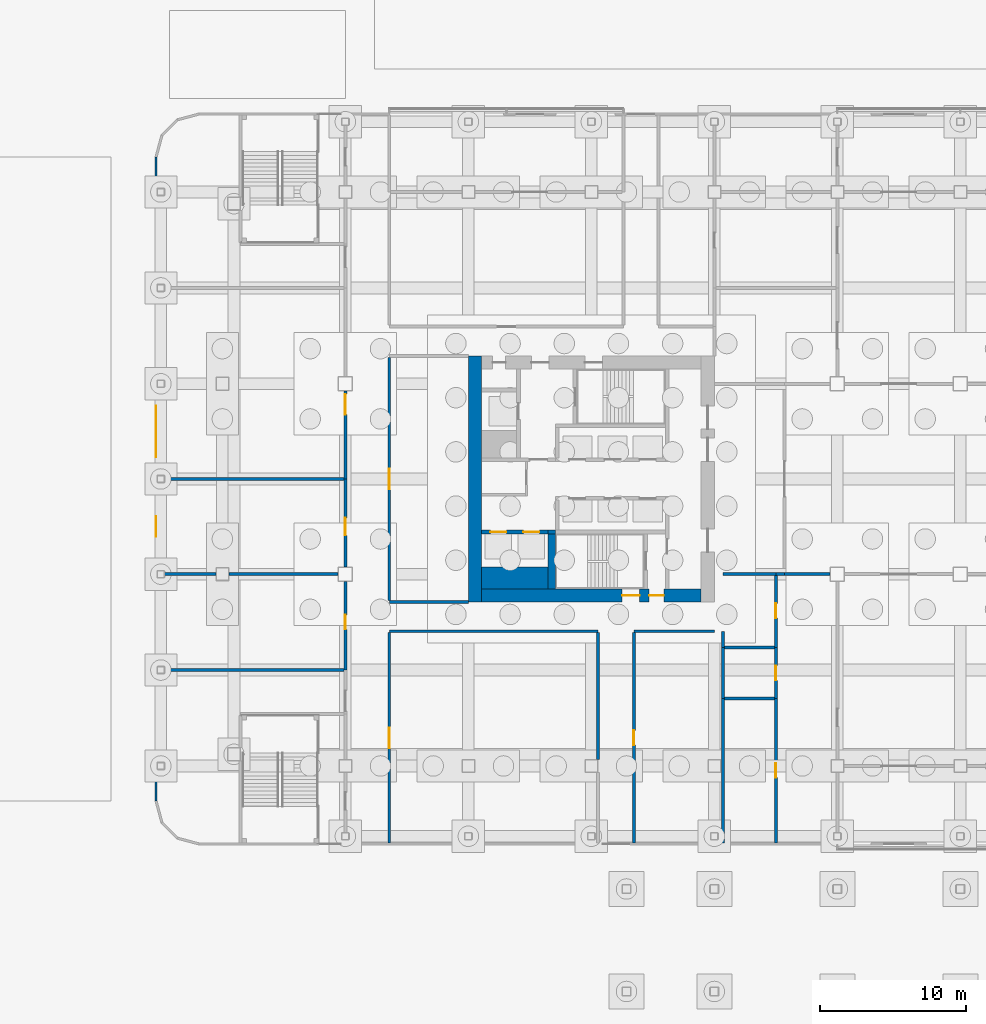
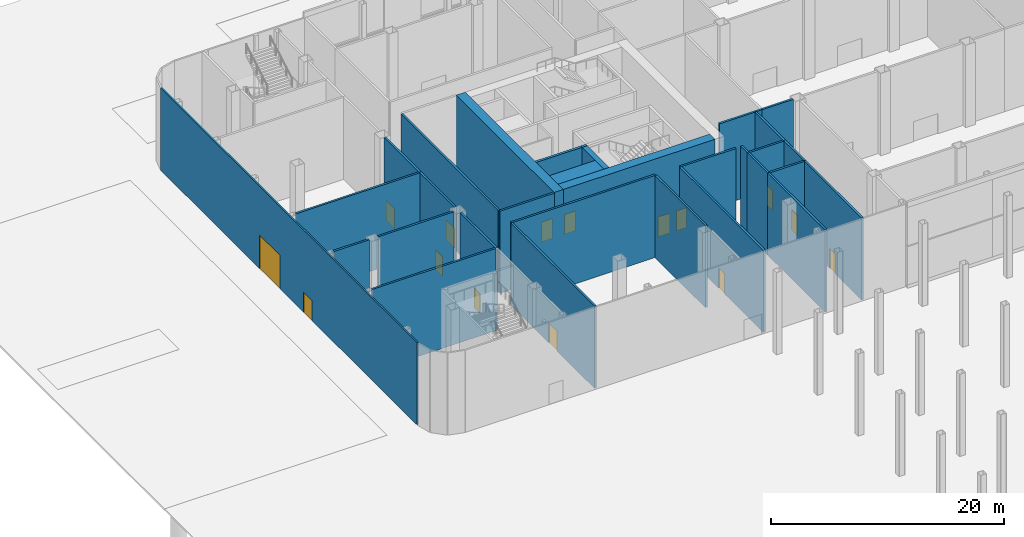
# One storey, part 37 of 113: 32 walls, 15 doors, 15 openings.
"""IFC4 building model written with IfcOpenShell, lengths in metres."""

from ifc_helpers import new_model, si_unit, direction, frame, frame_2d, origin, place, context, subcontext, project, spatial, rectangle, extrude, material, layer, layer_set, type_object, element, fill, save


model = new_model("IFC4")

# Units and contexts
model_context = context("Model", 3, precision=1e-05, world=origin(), true_north=direction((0.0, 1.0)))
body_context = subcontext(model_context, "Body", "Model", "MODEL_VIEW")
ifc_project = project(units=[si_unit("LENGTHUNIT", "METRE"), si_unit("AREAUNIT", "SQUARE_METRE"), si_unit("VOLUMEUNIT", "CUBIC_METRE"), si_unit("PLANEANGLEUNIT", "RADIAN"), si_unit("MASSUNIT", "GRAM", prefix="KILO")], contexts=[model_context])

# Site, building, storey
site_placement = place(None, origin())
site = spatial("IfcSite", under=ifc_project, at=site_placement, CompositionType="ELEMENT")
building_placement = place(site_placement, origin())
building = spatial("IfcBuilding", under=site, at=building_placement, Name="Hakoniwa Tower and Hamabe Station Hall", CompositionType="ELEMENT")
storey_placement = place(building_placement, origin())
storey = spatial("IfcBuildingStorey", under=building, at=storey_placement, Name="L01", CompositionType="ELEMENT", Elevation=0.0)

# Wall
ifc_material_1 = material(Name="Concrete C80", Category="concrete")
ifc_layer_1 = layer(ifc_material_1, 0.89990234375)
ifc_layer_set_1 = layer_set([ifc_layer_1], Name="CORE WALL 900 C80")
wall_type_1 = type_object("IfcWallType", Name="CORE WALL 900 C80", PredefinedType="SHEAR", material=ifc_layer_set_1)
wall_1_placement = place(storey_placement, frame((-33.14990234375, -8.39990234375, 0.0), z_axis=(0.0, 0.0, 1.0), x_axis=(0.0, 1.0, 0.0)))
element("IfcWall", 1, at=wall_1_placement, inside=storey, type_object=wall_type_1, Name="Core wall OUTER west", PredefinedType="SHEAR", context=body_context, shape_type="SweptSolid", body=[
    extrude(rectangle(XDim=16.7998046875, YDim=0.89990234375, at=frame_2d((8.39990234375, 0.0))), origin(), (0.0, 0.0, 1.0), 8.60009765625),
])

# Wall, openings, doors
wall_2_placement = place(storey_placement, frame((-32.699951171875, -7.949951171875, 0.0), z_axis=(0.0, 0.0, 1.0), x_axis=(1.0, 0.0, 0.0)))
wall_2 = element("IfcWall", 2, at=wall_2_placement, inside=storey, type_object=wall_type_1, Name="Core wall SOUTH west", PredefinedType="SHEAR", context=body_context, shape_type="SweptSolid", body=[
    extrude(rectangle(XDim=15.0, YDim=0.89990234375, at=frame_2d((7.5, 0.0))), origin(), (0.0, 0.0, 1.0), 8.60009765625),
])
opening_1_placement = place(wall_2_placement, frame((11.449951171875, 0.0, 0.0)))
opening_1 = element("IfcOpeningElement", 3, at=opening_1_placement, cuts=wall_2, Name="Opening CD-W-FS3-10", PredefinedType="OPENING", context=body_context, shape_type="SweptSolid", body=[
    extrude(rectangle(XDim=1.0, YDim=2.10009765625, at=frame_2d((0.5, 1.050048828125))), frame((0.0, 0.4599609375, 0.0), z_axis=(0.0, -1.0, 0.0), x_axis=(1.0, 0.0, 0.0)), (0.0, 0.0, 1.0), 0.919921875),
])
opening_2_placement = place(wall_2_placement, frame((9.60009765625, 0.0, 0.0)))
opening_2 = element("IfcOpeningElement", 4, at=opening_2_placement, cuts=wall_2, Name="Opening CD-W-FS5-12", PredefinedType="OPENING", context=body_context, shape_type="SweptSolid", body=[
    extrude(rectangle(XDim=1.199951171875, YDim=2.10009765625, at=frame_2d((0.60009765625, 1.050048828125))), frame((0.0, 0.4599609375, 0.0), z_axis=(0.0, -1.0, 0.0), x_axis=(1.0, 0.0, 0.0)), (0.0, 0.0, 1.0), 0.919921875),
])
ifc_material_2 = material(Name="Steel fire door", Category="steel")
door_type_1 = type_object("IfcDoorType", Name="CORE DOOR 1000 FD60", OperationType="NOTDEFINED", PredefinedType="DOOR", material=ifc_material_2)
door_1_placement = place(opening_1_placement, origin())
door_1 = element("IfcDoor", 5, at=door_1_placement, inside=storey, type_object=door_type_1, Name="Stair vestibule door", OperationType="SINGLE_SWING_LEFT", OverallHeight=2.10009765625, OverallWidth=1.0, PredefinedType="DOOR", context=body_context, shape_type="SweptSolid", body=[
    extrude(rectangle(XDim=1.0, YDim=2.10009765625, at=frame_2d((0.5, 1.050048828125))), frame((0.0, 0.02490234375, 0.0), z_axis=(0.0, -1.0, 0.0), x_axis=(1.0, 0.0, 0.0)), (0.0, 0.0, 1.0), 0.050048828125),
])
fill(opening_1, door_1)
ifc_material_3 = material(Name="Steel fire door", Category="steel")
door_type_2 = type_object("IfcDoorType", Name="CORE DOOR 1200 FD60", OperationType="DOUBLE_DOOR_SINGLE_SWING", PredefinedType="DOOR", material=ifc_material_3)
door_2_placement = place(opening_2_placement, frame((1.199951171875, 0.0, 0.0), z_axis=(0.0, 0.0, 1.0), x_axis=(-1.0, 0.0, 0.0)))
door_2 = element("IfcDoor", 6, at=door_2_placement, inside=storey, type_object=door_type_2, Name="Escape stair discharge door B", OperationType="DOUBLE_DOOR_SINGLE_SWING", OverallHeight=2.10009765625, OverallWidth=1.199951171875, PredefinedType="DOOR", context=body_context, shape_type="SweptSolid", body=[
    extrude(rectangle(XDim=1.199951171875, YDim=2.10009765625, at=frame_2d((0.60009765625, 1.050048828125))), frame((0.0, 0.02490234375, 0.0), z_axis=(0.0, -1.0, 0.0), x_axis=(1.0, 0.0, 0.0)), (0.0, 0.0, 1.0), 0.050048828125),
])
fill(opening_2, door_2)

# Wall
ifc_material_4 = material(Name="Concrete C80", Category="concrete")
ifc_layer_2 = layer(ifc_material_4, 1.5)
ifc_layer_set_2 = layer_set([ifc_layer_2], Name="CORE WEB WALL 1500 C80")
wall_type_2 = type_object("IfcWallType", Name="CORE WEB WALL 1500 C80", PredefinedType="SHEAR", material=ifc_layer_set_2)
wall_3_placement = place(storey_placement, frame((-32.699951171875, -6.75, 0.0), z_axis=(0.0, 0.0, 1.0), x_axis=(1.0, 0.0, 0.0)))
element("IfcWall", 7, at=wall_3_placement, inside=storey, type_object=wall_type_2, Name="Core wall SER west", PredefinedType="SHEAR", context=body_context, shape_type="SweptSolid", body=[
    extrude(rectangle(XDim=4.550048828125, YDim=1.5, at=frame_2d((2.27490234375, 0.0))), origin(), (0.0, 0.0, 1.0), 8.60009765625),
])

# Wall, openings, doors
ifc_material_5 = material(Name="Concrete C80", Category="concrete")
ifc_layer_3 = layer(ifc_material_5, 0.25)
ifc_layer_set_3 = layer_set([ifc_layer_3], Name="CORE WEB WALL 250 C80")
wall_type_3 = type_object("IfcWallType", Name="CORE WEB WALL 250 C80", PredefinedType="SHEAR", material=ifc_layer_set_3)
wall_4_placement = place(storey_placement, frame((-32.699951171875, -3.625, 0.0), z_axis=(0.0, 0.0, 1.0), x_axis=(1.0, 0.0, 0.0)))
wall_4 = element("IfcWall", 8, at=wall_4_placement, inside=storey, type_object=wall_type_3, Name="Core wall SEF west", PredefinedType="SHEAR", context=body_context, shape_type="SweptSolid", body=[
    extrude(rectangle(XDim=4.550048828125, YDim=0.25, at=frame_2d((2.27490234375, 0.0))), origin(), (0.0, 0.0, 1.0), 8.60009765625),
])
opening_3_placement = place(wall_4_placement, frame((2.85009765625, 0.0, 0.0)))
opening_3 = element("IfcOpeningElement", 9, at=opening_3_placement, cuts=wall_4, Name="Opening LD-SV1", PredefinedType="OPENING", context=body_context, shape_type="SweptSolid", body=[
    extrude(rectangle(XDim=1.10009765625, YDim=2.10009765625, at=frame_2d((0.550048828125, 1.050048828125))), frame((0.0, 0.135009765625, 0.0), z_axis=(0.0, -1.0, 0.0), x_axis=(1.0, 0.0, 0.0)), (0.0, 0.0, 1.0), 0.27001953125),
])
opening_4_placement = place(wall_4_placement, frame((0.60009765625, 0.0, 0.0)))
opening_4 = element("IfcOpeningElement", 10, at=opening_4_placement, cuts=wall_4, Name="Opening LD-SV2", PredefinedType="OPENING", context=body_context, shape_type="SweptSolid", body=[
    extrude(rectangle(XDim=1.10009765625, YDim=2.10009765625, at=frame_2d((0.550048828125, 1.050048828125))), frame((0.0, 0.135009765625, 0.0), z_axis=(0.0, -1.0, 0.0), x_axis=(1.0, 0.0, 0.0)), (0.0, 0.0, 1.0), 0.27001953125),
])
ifc_material_6 = material(Name="Stainless steel SUS304", Category="steel")
door_type_3 = type_object("IfcDoorType", Name="LIFT LANDING DOOR 1100 FD60", OperationType="DOUBLE_DOOR_SLIDING", PredefinedType="DOOR", material=ifc_material_6)
door_3_placement = place(opening_3_placement, origin())
door_3 = element("IfcDoor", 11, at=door_3_placement, inside=storey, type_object=door_type_3, Name="Lift landing door SV1 L01", OperationType="DOUBLE_DOOR_SLIDING", OverallHeight=2.10009765625, OverallWidth=1.10009765625, PredefinedType="DOOR", context=body_context, shape_type="SweptSolid", body=[
    extrude(rectangle(XDim=1.10009765625, YDim=2.10009765625, at=frame_2d((0.550048828125, 1.050048828125))), frame((0.0, 0.02490234375, 0.0), z_axis=(0.0, -1.0, 0.0), x_axis=(1.0, 0.0, 0.0)), (0.0, 0.0, 1.0), 0.050048828125),
])
fill(opening_3, door_3)
door_4_placement = place(opening_4_placement, origin())
door_4 = element("IfcDoor", 12, at=door_4_placement, inside=storey, type_object=door_type_3, Name="Lift landing door SV2 L01", OperationType="DOUBLE_DOOR_SLIDING", OverallHeight=2.10009765625, OverallWidth=1.10009765625, PredefinedType="DOOR", context=body_context, shape_type="SweptSolid", body=[
    extrude(rectangle(XDim=1.10009765625, YDim=2.10009765625, at=frame_2d((0.550048828125, 1.050048828125))), frame((0.0, 0.02490234375, 0.0), z_axis=(0.0, -1.0, 0.0), x_axis=(1.0, 0.0, 0.0)), (0.0, 0.0, 1.0), 0.050048828125),
])
fill(opening_4, door_4)

# Walls
wall_5_placement = place(storey_placement, frame((-28.14990234375, -3.625, 0.0), z_axis=(0.0, 0.0, 1.0), x_axis=(1.0, 0.0, 0.0)))
element("IfcWall", 13, at=wall_5_placement, inside=storey, type_object=wall_type_3, Name="Core wall SRK west", PredefinedType="SHEAR", context=body_context, shape_type="SweptSolid", body=[
    extrude(rectangle(XDim=0.5, YDim=0.25, at=frame_2d((0.25, 0.0))), origin(), (0.0, 0.0, 1.0), 8.60009765625),
])
ifc_material_7 = material(Name="Concrete C80", Category="concrete")
ifc_layer_4 = layer(ifc_material_7, 0.5)
ifc_layer_set_4 = layer_set([ifc_layer_4], Name="CORE WEB WALL 500 C80")
wall_type_4 = type_object("IfcWallType", Name="CORE WEB WALL 500 C80", PredefinedType="SHEAR", material=ifc_layer_set_4)
wall_6_placement = place(storey_placement, frame((-27.89990234375, -7.5, 0.0), z_axis=(0.0, 0.0, 1.0), x_axis=(0.0, 1.0, 0.0)))
element("IfcWall", 14, at=wall_6_placement, inside=storey, type_object=wall_type_4, Name="Core wall SSE west", PredefinedType="SHEAR", context=body_context, shape_type="SweptSolid", body=[
    extrude(rectangle(XDim=3.75, YDim=0.5, at=frame_2d((1.875, 0.0))), origin(), (0.0, 0.0, 1.0), 8.60009765625),
])

# Wall, openings, doors
ifc_material_8 = material(Name="Dark glass-faced aluminium panel", Category="aluminium")
ifc_layer_5 = layer(ifc_material_8, 0.14990234375)
ifc_layer_set_5 = layer_set([ifc_layer_5], Name="EXTERNAL WALL 150 EI 60")
wall_type_5 = type_object("IfcWallType", Name="EXTERNAL WALL 150 EI 60", PredefinedType="STANDARD", material=ifc_layer_set_5)
wall_7_placement = place(storey_placement, frame((-54.925048828125, -21.980224609375, 0.0), z_axis=(0.0, 0.0, 1.0), x_axis=(0.0, 1.0, 0.0)))
wall_7 = element("IfcWall", 15, at=wall_7_placement, inside=storey, type_object=wall_type_5, Name="External wall L01 8-1", PredefinedType="STANDARD", context=body_context, shape_type="SweptSolid", body=[
    extrude(rectangle(XDim=43.96044921875, YDim=0.14990234375, at=frame_2d((21.980224609375, 0.0))), origin(), (0.0, 0.0, 1.0), 8.60009765625),
])
opening_5_placement = place(wall_7_placement, frame((18.0302734375, 0.0, 0.0)))
opening_5 = element("IfcOpeningElement", 16, at=opening_5_placement, cuts=wall_7, Name="Opening ED-W-01", PredefinedType="OPENING", context=body_context, shape_type="SweptSolid", body=[
    extrude(rectangle(XDim=1.39990234375, YDim=2.10009765625, at=frame_2d((0.699951171875, 1.050048828125))), frame((0.0, 0.0849609375, 0.0), z_axis=(0.0, -1.0, 0.0), x_axis=(1.0, 0.0, 0.0)), (0.0, 0.0, 1.0), 0.169921875),
])
opening_6_placement = place(wall_7_placement, frame((23.480224609375, 0.0, 0.0)))
opening_6 = element("IfcOpeningElement", 17, at=opening_6_placement, cuts=wall_7, Name="Opening ED-W-02", PredefinedType="OPENING", context=body_context, shape_type="SweptSolid", body=[
    extrude(rectangle(XDim=3.5, YDim=3.5, at=frame_2d((1.75, 1.75))), frame((0.0, 0.0849609375, 0.0), z_axis=(0.0, -1.0, 0.0), x_axis=(1.0, 0.0, 0.0)), (0.0, 0.0, 1.0), 0.169921875),
])
ifc_material_9 = material(Name="Steel roller shutter", Category="steel")
door_type_4 = type_object("IfcDoorType", Name="ROLLER SHUTTER DOOR 3500X3500", OperationType="ROLLINGUP", PredefinedType="DOOR", material=ifc_material_9)
door_5_placement = place(opening_6_placement, origin())
door_5 = element("IfcDoor", 18, at=door_5_placement, inside=storey, type_object=door_type_4, Name="Entrance door", OperationType="ROLLINGUP", OverallHeight=3.5, OverallWidth=3.5, PredefinedType="DOOR", context=body_context, shape_type="SweptSolid", body=[
    extrude(rectangle(XDim=3.5, YDim=3.5, at=frame_2d((1.75, 1.75))), frame((0.0, 0.02490234375, 0.0), z_axis=(0.0, -1.0, 0.0), x_axis=(1.0, 0.0, 0.0)), (0.0, 0.0, 1.0), 0.050048828125),
])
fill(opening_6, door_5)
ifc_material_10 = material(Name="Timber door leaf", Category="wood")
door_type_5 = type_object("IfcDoorType", Name="SINGLE DOOR 1400X2100", OperationType="SINGLE_SWING_LEFT", PredefinedType="DOOR", material=ifc_material_10)
door_6_placement = place(opening_5_placement, origin())
door_6 = element("IfcDoor", 19, at=door_6_placement, inside=storey, type_object=door_type_5, Name="Entrance door", OperationType="SINGLE_SWING_RIGHT", OverallHeight=2.10009765625, OverallWidth=1.39990234375, PredefinedType="DOOR", context=body_context, shape_type="SweptSolid", body=[
    extrude(rectangle(XDim=1.39990234375, YDim=2.10009765625, at=frame_2d((0.699951171875, 1.050048828125))), frame((0.0, 0.02490234375, 0.0), z_axis=(0.0, -1.0, 0.0), x_axis=(1.0, 0.0, 0.0)), (0.0, 0.0, 1.0), 0.050048828125),
])
fill(opening_5, door_6)

# Walls
ifc_material_11 = material(Name="Fire-rated gypsum board partition")
ifc_layer_6 = layer(ifc_material_11, 0.199951171875)
ifc_layer_set_6 = layer_set([ifc_layer_6], Name="FIRE PARTITION 200 EI 60")
wall_type_6 = type_object("IfcWallType", Name="FIRE PARTITION 200 EI 60", PredefinedType="PARTITIONING", material=ifc_layer_set_6)
wall_8_placement = place(storey_placement, frame((-16.199951171875, -11.5, 0.0), z_axis=(0.0, 0.0, 1.0), x_axis=(0.0, -1.0, 0.0)))
element("IfcWall", 20, at=wall_8_placement, inside=storey, type_object=wall_type_6, Name="Wall Fire Command Room / Accessible WC", PredefinedType="PARTITIONING", context=body_context, shape_type="SweptSolid", body=[
    extrude(rectangle(XDim=3.5, YDim=0.199951171875, at=frame_2d((1.75, 0.0))), origin(), (0.0, 0.0, 1.0), 8.60009765625),
])
wall_9_placement = place(storey_placement, frame((-16.199951171875, -10.39990234375, 0.0), z_axis=(0.0, 0.0, 1.0), x_axis=(0.0, -1.0, 0.0)))
element("IfcWall", 21, at=wall_9_placement, inside=storey, type_object=wall_type_6, Name="Wall Fire Command Room / Men's WC", PredefinedType="PARTITIONING", context=body_context, shape_type="SweptSolid", body=[
    extrude(rectangle(XDim=1.10009765625, YDim=0.199951171875, at=frame_2d((0.550048828125, 0.0))), origin(), (0.0, 0.0, 1.0), 8.60009765625),
])
wall_10_placement = place(storey_placement, frame((-16.199951171875, -15.0, 0.0), z_axis=(0.0, 0.0, 1.0), x_axis=(0.0, -1.0, 0.0)))
element("IfcWall", 22, at=wall_10_placement, inside=storey, type_object=wall_type_6, Name="Wall Fire Command Room / Women's WC", PredefinedType="PARTITIONING", context=body_context, shape_type="SweptSolid", body=[
    extrude(rectangle(XDim=9.85009765625, YDim=0.199951171875, at=frame_2d((4.925048828125, 0.0))), origin(), (0.0, 0.0, 1.0), 8.60009765625),
])
wall_11_placement = place(storey_placement, frame((-54.35009765625, -6.5, 0.0), z_axis=(0.0, 0.0, 1.0), x_axis=(1.0, 0.0, 0.0)))
element("IfcWall", 23, at=wall_11_placement, inside=storey, type_object=wall_type_6, Name="Wall Housekeeping Store / Staff Entrance Lobby", PredefinedType="PARTITIONING", context=body_context, shape_type="SweptSolid", body=[
    extrude(rectangle(XDim=3.5, YDim=0.199951171875, at=frame_2d((1.75, 0.0))), origin(), (0.0, 0.0, 1.0), 8.60009765625),
])
wall_12_placement = place(storey_placement, frame((-49.949951171875, -6.5, 0.0), z_axis=(0.0, 0.0, 1.0), x_axis=(1.0, 0.0, 0.0)))
element("IfcWall", 24, at=wall_12_placement, inside=storey, type_object=wall_type_6, Name="Wall Housekeeping Store / Staff Entrance Lobby", PredefinedType="PARTITIONING", context=body_context, shape_type="SweptSolid", body=[
    extrude(rectangle(XDim=7.449951171875, YDim=0.199951171875, at=frame_2d((3.72509765625, 0.0))), origin(), (0.0, 0.0, 1.0), 8.60009765625),
])
for number, where, z_axis, x_axis, name in (
    (25, (-54.35009765625, -13.050048828125, 0.0), (0.0, 0.0, 1.0), (1.0, 0.0, 0.0), "Wall Laundry and Linen Room / Housekeeping Store"),
    (26, (-54.35009765625, 0.0, 0.0), (0.0, 0.0, 1.0), (1.0, 0.0, 0.0), "Wall Staff Entrance Lobby / Loading and Service Dock"),
):
    element("IfcWall", number, at=place(storey_placement, frame(where, z_axis=z_axis, x_axis=x_axis)), inside=storey, type_object=wall_type_6, Name=name, PredefinedType="PARTITIONING", context=body_context, shape_type="SweptSolid", body=[
        extrude(rectangle(XDim=12.25, YDim=0.199951171875, at=frame_2d((6.125, 0.0))), origin(), (0.0, 0.0, 1.0), 8.60009765625),
    ])
wall_13_placement = place(storey_placement, frame((-16.10009765625, -11.5, 0.0), z_axis=(0.0, 0.0, 1.0), x_axis=(1.0, 0.0, 0.0)))
element("IfcWall", 27, at=wall_13_placement, inside=storey, type_object=wall_type_6, Name="Wall Accessible WC / Men's WC", PredefinedType="PARTITIONING", context=body_context, shape_type="SweptSolid", body=[
    extrude(rectangle(XDim=3.400146484375, YDim=0.199951171875, at=frame_2d((1.7001953125, 0.0))), origin(), (0.0, 0.0, 1.0), 8.60009765625),
])
wall_14_placement = place(storey_placement, frame((-12.60009765625, -6.5, 0.0), z_axis=(0.0, 0.0, 1.0), x_axis=(1.0, 0.0, 0.0)))
element("IfcWall", 28, at=wall_14_placement, inside=storey, type_object=wall_type_6, Name="Wall WC Lobby / Guest Lift Hall West", PredefinedType="PARTITIONING", context=body_context, shape_type="SweptSolid", body=[
    extrude(rectangle(XDim=0.60009765625, YDim=0.199951171875, at=frame_2d((0.300048828125, 0.0))), origin(), (0.0, 0.0, 1.0), 8.60009765625),
])
wall_15_placement = place(storey_placement, frame((-12.0, -6.5, 0.0), z_axis=(0.0, 0.0, 1.0), x_axis=(1.0, 0.0, 0.0)))
element("IfcWall", 29, at=wall_15_placement, inside=storey, type_object=wall_type_6, Name="Wall WC Lobby / Lobby Lounge", PredefinedType="PARTITIONING", context=body_context, shape_type="SweptSolid", body=[
    extrude(rectangle(XDim=3.10009765625, YDim=0.199951171875, at=frame_2d((1.550048828125, 0.0))), origin(), (0.0, 0.0, 1.0), 8.60009765625),
])

# Wall, opening, door
wall_16_placement = place(storey_placement, frame((-12.60009765625, -15.0, 0.0), z_axis=(0.0, 0.0, 1.0), x_axis=(0.0, 1.0, 0.0)))
wall_16 = element("IfcWall", 30, at=wall_16_placement, inside=storey, type_object=wall_type_6, Name="Wall WC Lobby / Accessible WC", PredefinedType="PARTITIONING", context=body_context, shape_type="SweptSolid", body=[
    extrude(rectangle(XDim=3.5, YDim=0.199951171875, at=frame_2d((1.75, 0.0))), origin(), (0.0, 0.0, 1.0), 8.60009765625),
])
opening_7_placement = place(wall_16_placement, frame((1.25, 0.0, 0.0)))
opening_7 = element("IfcOpeningElement", 31, at=opening_7_placement, cuts=wall_16, Name="Opening PD-L01-024", PredefinedType="OPENING", context=body_context, shape_type="SweptSolid", body=[
    extrude(rectangle(XDim=1.0, YDim=2.10009765625, at=frame_2d((0.5, 1.050048828125))), frame((0.0, 0.10986328125, 0.0), z_axis=(0.0, -1.0, 0.0), x_axis=(1.0, 0.0, 0.0)), (0.0, 0.0, 1.0), 0.219970703125),
])
ifc_material_12 = material(Name="Timber door leaf", Category="wood")
door_type_6 = type_object("IfcDoorType", Name="SINGLE DOOR 1000X2100", OperationType="SINGLE_SWING_LEFT", PredefinedType="DOOR", material=ifc_material_12)
door_7_placement = place(opening_7_placement, origin())
door_7 = element("IfcDoor", 32, at=door_7_placement, inside=storey, type_object=door_type_6, Name="Door PD-L01-024", OperationType="SINGLE_SWING_RIGHT", OverallHeight=2.10009765625, OverallWidth=1.0, PredefinedType="DOOR", context=body_context, shape_type="SweptSolid", body=[
    extrude(rectangle(XDim=1.0, YDim=2.10009765625, at=frame_2d((0.5, 1.050048828125))), frame((0.0, 0.02490234375, 0.0), z_axis=(0.0, -1.0, 0.0), x_axis=(1.0, 0.0, 0.0)), (0.0, 0.0, 1.0), 0.050048828125),
])
fill(opening_7, door_7)

wall_17_placement = place(storey_placement, frame((-12.60009765625, -11.5, 0.0), z_axis=(0.0, 0.0, 1.0), x_axis=(0.0, 1.0, 0.0)))
wall_17 = element("IfcWall", 33, at=wall_17_placement, inside=storey, type_object=wall_type_6, Name="Wall WC Lobby / Men's WC", PredefinedType="PARTITIONING", context=body_context, shape_type="SweptSolid", body=[
    extrude(rectangle(XDim=4.89990234375, YDim=0.199951171875, at=frame_2d((2.449951171875, 0.0))), origin(), (0.0, 0.0, 1.0), 8.60009765625),
])
opening_8_placement = place(wall_17_placement, frame((2.0, 0.0, 0.0)))
opening_8 = element("IfcOpeningElement", 34, at=opening_8_placement, cuts=wall_17, Name="Opening PD-L01-023", PredefinedType="OPENING", context=body_context, shape_type="SweptSolid", body=[
    extrude(rectangle(XDim=1.0, YDim=2.10009765625, at=frame_2d((0.5, 1.050048828125))), frame((0.0, 0.10986328125, 0.0), z_axis=(0.0, -1.0, 0.0), x_axis=(1.0, 0.0, 0.0)), (0.0, 0.0, 1.0), 0.219970703125),
])
door_8_placement = place(opening_8_placement, origin())
door_8 = element("IfcDoor", 35, at=door_8_placement, inside=storey, type_object=door_type_6, Name="Door PD-L01-023", OperationType="SINGLE_SWING_LEFT", OverallHeight=2.10009765625, OverallWidth=1.0, PredefinedType="DOOR", context=body_context, shape_type="SweptSolid", body=[
    extrude(rectangle(XDim=1.0, YDim=2.10009765625, at=frame_2d((0.5, 1.050048828125))), frame((0.0, 0.02490234375, 0.0), z_axis=(0.0, -1.0, 0.0), x_axis=(1.0, 0.0, 0.0)), (0.0, 0.0, 1.0), 0.050048828125),
])
fill(opening_8, door_8)

wall_18_placement = place(storey_placement, frame((-12.60009765625, -24.85009765625, 0.0), z_axis=(0.0, 0.0, 1.0), x_axis=(0.0, 1.0, 0.0)))
wall_18 = element("IfcWall", 36, at=wall_18_placement, inside=storey, type_object=wall_type_6, Name="Wall WC Lobby / Women's WC", PredefinedType="PARTITIONING", context=body_context, shape_type="SweptSolid", body=[
    extrude(rectangle(XDim=9.85009765625, YDim=0.199951171875, at=frame_2d((4.925048828125, 0.0))), origin(), (0.0, 0.0, 1.0), 8.60009765625),
])
opening_9_placement = place(wall_18_placement, frame((4.449951171875, 0.0, 0.0)))
opening_9 = element("IfcOpeningElement", 37, at=opening_9_placement, cuts=wall_18, Name="Opening PD-L01-025", PredefinedType="OPENING", context=body_context, shape_type="SweptSolid", body=[
    extrude(rectangle(XDim=1.0, YDim=2.10009765625, at=frame_2d((0.5, 1.050048828125))), frame((0.0, 0.10986328125, 0.0), z_axis=(0.0, -1.0, 0.0), x_axis=(1.0, 0.0, 0.0)), (0.0, 0.0, 1.0), 0.219970703125),
])
door_9_placement = place(opening_9_placement, origin())
door_9 = element("IfcDoor", 38, at=door_9_placement, inside=storey, type_object=door_type_6, Name="Door PD-L01-025", OperationType="SINGLE_SWING_LEFT", OverallHeight=2.10009765625, OverallWidth=1.0, PredefinedType="DOOR", context=body_context, shape_type="SweptSolid", body=[
    extrude(rectangle(XDim=1.0, YDim=2.10009765625, at=frame_2d((0.5, 1.050048828125))), frame((0.0, 0.02490234375, 0.0), z_axis=(0.0, -1.0, 0.0), x_axis=(1.0, 0.0, 0.0)), (0.0, 0.0, 1.0), 0.050048828125),
])
fill(opening_9, door_9)

# Walls
wall_19_placement = place(storey_placement, frame((-16.199951171875, -6.5, 0.0), z_axis=(0.0, 0.0, 1.0), x_axis=(1.0, 0.0, 0.0)))
element("IfcWall", 39, at=wall_19_placement, inside=storey, type_object=wall_type_6, Name="Wall Men's WC / Guest Lift Hall West", PredefinedType="PARTITIONING", context=body_context, shape_type="SweptSolid", body=[
    extrude(rectangle(XDim=3.599853515625, YDim=0.199951171875, at=frame_2d((1.7998046875, 0.0))), origin(), (0.0, 0.0, 1.0), 8.60009765625),
])
wall_20_placement = place(storey_placement, frame((-16.10009765625, -15.0, 0.0), z_axis=(0.0, 0.0, 1.0), x_axis=(1.0, 0.0, 0.0)))
element("IfcWall", 40, at=wall_20_placement, inside=storey, type_object=wall_type_6, Name="Wall Women's WC / Accessible WC", PredefinedType="PARTITIONING", context=body_context, shape_type="SweptSolid", body=[
    extrude(rectangle(XDim=3.400146484375, YDim=0.199951171875, at=frame_2d((1.7001953125, 0.0))), origin(), (0.0, 0.0, 1.0), 8.60009765625),
])

# Wall, opening, door
wall_21_placement = place(storey_placement, frame((-42.0, 0.0, 0.0), z_axis=(0.0, 0.0, 1.0), x_axis=(0.0, 1.0, 0.0)))
wall_21 = element("IfcWall", 41, at=wall_21_placement, inside=storey, type_object=wall_type_6, Name="Wall West Service Corridor / Loading and Service Dock", PredefinedType="PARTITIONING", context=body_context, shape_type="SweptSolid", body=[
    extrude(rectangle(XDim=6.0, YDim=0.199951171875, at=frame_2d((3.0, 0.0))), origin(), (0.0, 0.0, 1.0), 8.60009765625),
])
opening_10_placement = place(wall_21_placement, frame((4.39990234375, 0.0, 0.0)))
opening_10 = element("IfcOpeningElement", 42, at=opening_10_placement, cuts=wall_21, Name="Opening PD-L01-029", PredefinedType="OPENING", context=body_context, shape_type="SweptSolid", body=[
    extrude(rectangle(XDim=1.39990234375, YDim=2.10009765625, at=frame_2d((0.699951171875, 1.050048828125))), frame((0.0, 0.10986328125, 0.0), z_axis=(0.0, -1.0, 0.0), x_axis=(1.0, 0.0, 0.0)), (0.0, 0.0, 1.0), 0.219970703125),
])
ifc_material_13 = material(Name="Steel fire door", Category="steel")
door_type_7 = type_object("IfcDoorType", Name="FIRE DOOR 1400X2100 FD60", OperationType="SINGLE_SWING_LEFT", PredefinedType="DOOR", material=ifc_material_13)
door_10_placement = place(opening_10_placement, origin())
door_10 = element("IfcDoor", 43, at=door_10_placement, inside=storey, type_object=door_type_7, Name="Door PD-L01-029", OperationType="SINGLE_SWING_LEFT", OverallHeight=2.10009765625, OverallWidth=1.39990234375, PredefinedType="DOOR", context=body_context, shape_type="SweptSolid", body=[
    extrude(rectangle(XDim=1.39990234375, YDim=2.10009765625, at=frame_2d((0.699951171875, 1.050048828125))), frame((0.0, 0.02490234375, 0.0), z_axis=(0.0, -1.0, 0.0), x_axis=(1.0, 0.0, 0.0)), (0.0, 0.0, 1.0), 0.050048828125),
])
fill(opening_10, door_10)

wall_22_placement = place(storey_placement, frame((-22.300048828125, -10.5, 0.0), z_axis=(0.0, 0.0, 1.0), x_axis=(0.0, -1.0, 0.0)))
wall_22 = element("IfcWall", 44, at=wall_22_placement, inside=storey, type_object=wall_type_6, Name="Wall West Service Corridor / Fire Command Room", PredefinedType="PARTITIONING", context=body_context, shape_type="SweptSolid", body=[
    extrude(rectangle(XDim=14.35009765625, YDim=0.199951171875, at=frame_2d((7.175048828125, 0.0))), origin(), (0.0, 0.0, 1.0), 8.60009765625),
])
opening_11_placement = place(wall_22_placement, frame((6.675048828125, 0.0, 0.0)))
opening_11 = element("IfcOpeningElement", 45, at=opening_11_placement, cuts=wall_22, Name="Opening PD-L01-035", PredefinedType="OPENING", context=body_context, shape_type="SweptSolid", body=[
    extrude(rectangle(XDim=1.0, YDim=2.10009765625, at=frame_2d((0.5, 1.050048828125))), frame((0.0, 0.10986328125, 0.0), z_axis=(0.0, -1.0, 0.0), x_axis=(1.0, 0.0, 0.0)), (0.0, 0.0, 1.0), 0.219970703125),
])
ifc_material_14 = material(Name="Steel fire door", Category="steel")
door_type_8 = type_object("IfcDoorType", Name="FIRE DOOR 1000X2100 FD60", OperationType="SINGLE_SWING_LEFT", PredefinedType="DOOR", material=ifc_material_14)
door_11_placement = place(opening_11_placement, origin())
door_11 = element("IfcDoor", 46, at=door_11_placement, inside=storey, type_object=door_type_8, Name="Door PD-L01-035", OperationType="SINGLE_SWING_RIGHT", OverallHeight=2.10009765625, OverallWidth=1.0, PredefinedType="DOOR", context=body_context, shape_type="SweptSolid", body=[
    extrude(rectangle(XDim=1.0, YDim=2.10009765625, at=frame_2d((0.5, 1.050048828125))), frame((0.0, 0.02490234375, 0.0), z_axis=(0.0, -1.0, 0.0), x_axis=(1.0, 0.0, 0.0)), (0.0, 0.0, 1.0), 0.050048828125),
])
fill(opening_11, door_11)

# Walls
wall_23_placement = place(storey_placement, frame((-16.800048828125, -10.39990234375, 0.0), z_axis=(0.0, 0.0, 1.0), x_axis=(-1.0, 0.0, 0.0)))
element("IfcWall", 47, at=wall_23_placement, inside=storey, type_object=wall_type_6, Name="Wall West Service Corridor / Fire Command Room", PredefinedType="PARTITIONING", context=body_context, shape_type="SweptSolid", body=[
    extrude(rectangle(XDim=5.5, YDim=0.199951171875, at=frame_2d((2.75, 0.0))), origin(), (0.0, 0.0, 1.0), 8.60009765625),
])
wall_24_placement = place(storey_placement, frame((-39.0, -8.39990234375, 0.0), z_axis=(0.0, 0.0, 1.0), x_axis=(1.0, 0.0, 0.0)))
element("IfcWall", 48, at=wall_24_placement, inside=storey, type_object=wall_type_6, Name="Wall West Service Corridor / Furniture Store", PredefinedType="PARTITIONING", context=body_context, shape_type="SweptSolid", body=[
    extrude(rectangle(XDim=5.39990234375, YDim=0.199951171875, at=frame_2d((2.699951171875, 0.0))), origin(), (0.0, 0.0, 1.0), 8.60009765625),
])

# Wall, opening, door
wall_25_placement = place(storey_placement, frame((-39.0, 8.300048828125, 0.0), z_axis=(0.0, 0.0, 1.0), x_axis=(0.0, -1.0, 0.0)))
wall_25 = element("IfcWall", 49, at=wall_25_placement, inside=storey, type_object=wall_type_6, Name="Wall West Service Corridor / Furniture Store", PredefinedType="PARTITIONING", context=body_context, shape_type="SweptSolid", body=[
    extrude(rectangle(XDim=16.60009765625, YDim=0.199951171875, at=frame_2d((8.300048828125, 0.0))), origin(), (0.0, 0.0, 1.0), 8.60009765625),
])
opening_12_placement = place(wall_25_placement, frame((7.60009765625, 0.0, 0.0)))
opening_12 = element("IfcOpeningElement", 50, at=opening_12_placement, cuts=wall_25, Name="Opening PD-L01-033", PredefinedType="OPENING", context=body_context, shape_type="SweptSolid", body=[
    extrude(rectangle(XDim=1.39990234375, YDim=2.10009765625, at=frame_2d((0.699951171875, 1.050048828125))), frame((0.0, 0.10986328125, 0.0), z_axis=(0.0, -1.0, 0.0), x_axis=(1.0, 0.0, 0.0)), (0.0, 0.0, 1.0), 0.219970703125),
])
door_12_placement = place(opening_12_placement, origin())
door_12 = element("IfcDoor", 51, at=door_12_placement, inside=storey, type_object=door_type_7, Name="Door PD-L01-033", OperationType="SINGLE_SWING_RIGHT", OverallHeight=2.10009765625, OverallWidth=1.39990234375, PredefinedType="DOOR", context=body_context, shape_type="SweptSolid", body=[
    extrude(rectangle(XDim=1.39990234375, YDim=2.10009765625, at=frame_2d((0.699951171875, 1.050048828125))), frame((0.0, 0.02490234375, 0.0), z_axis=(0.0, -1.0, 0.0), x_axis=(1.0, 0.0, 0.0)), (0.0, 0.0, 1.0), 0.050048828125),
])
fill(opening_12, door_12)

wall_26_placement = place(storey_placement, frame((-42.0, -13.050048828125, 0.0), z_axis=(0.0, 0.0, 1.0), x_axis=(0.0, 1.0, 0.0)))
wall_26 = element("IfcWall", 52, at=wall_26_placement, inside=storey, type_object=wall_type_6, Name="Wall West Service Corridor / Housekeeping Store", PredefinedType="PARTITIONING", context=body_context, shape_type="SweptSolid", body=[
    extrude(rectangle(XDim=6.050048828125, YDim=0.199951171875, at=frame_2d((3.02490234375, 0.0))), origin(), (0.0, 0.0, 1.0), 8.60009765625),
])
opening_13_placement = place(wall_26_placement, frame((2.77490234375, 0.0, 0.0)))
opening_13 = element("IfcOpeningElement", 53, at=opening_13_placement, cuts=wall_26, Name="Opening PD-L01-031", PredefinedType="OPENING", context=body_context, shape_type="SweptSolid", body=[
    extrude(rectangle(XDim=1.0, YDim=2.10009765625, at=frame_2d((0.5, 1.050048828125))), frame((0.0, 0.10986328125, 0.0), z_axis=(0.0, -1.0, 0.0), x_axis=(1.0, 0.0, 0.0)), (0.0, 0.0, 1.0), 0.219970703125),
])
door_13_placement = place(opening_13_placement, origin())
door_13 = element("IfcDoor", 54, at=door_13_placement, inside=storey, type_object=door_type_8, Name="Door PD-L01-031", OperationType="SINGLE_SWING_RIGHT", OverallHeight=2.10009765625, OverallWidth=1.0, PredefinedType="DOOR", context=body_context, shape_type="SweptSolid", body=[
    extrude(rectangle(XDim=1.0, YDim=2.10009765625, at=frame_2d((0.5, 1.050048828125))), frame((0.0, 0.02490234375, 0.0), z_axis=(0.0, -1.0, 0.0), x_axis=(1.0, 0.0, 0.0)), (0.0, 0.0, 1.0), 0.050048828125),
])
fill(opening_13, door_13)

wall_27_placement = place(storey_placement, frame((-39.0, -10.5, 0.0), z_axis=(0.0, 0.0, 1.0), x_axis=(0.0, -1.0, 0.0)))
wall_27 = element("IfcWall", 55, at=wall_27_placement, inside=storey, type_object=wall_type_6, Name="Wall West Service Corridor / Electrical and Mechanical Plant Room", PredefinedType="PARTITIONING", context=body_context, shape_type="SweptSolid", body=[
    extrude(rectangle(XDim=14.35009765625, YDim=0.199951171875, at=frame_2d((7.175048828125, 0.0))), origin(), (0.0, 0.0, 1.0), 8.60009765625),
])
opening_14_placement = place(wall_27_placement, frame((6.47509765625, 0.0, 0.0)))
opening_14 = element("IfcOpeningElement", 56, at=opening_14_placement, cuts=wall_27, Name="Opening PD-L01-034", PredefinedType="OPENING", context=body_context, shape_type="SweptSolid", body=[
    extrude(rectangle(XDim=1.39990234375, YDim=2.10009765625, at=frame_2d((0.699951171875, 1.050048828125))), frame((0.0, 0.10986328125, 0.0), z_axis=(0.0, -1.0, 0.0), x_axis=(1.0, 0.0, 0.0)), (0.0, 0.0, 1.0), 0.219970703125),
])
door_14_placement = place(opening_14_placement, origin())
door_14 = element("IfcDoor", 57, at=door_14_placement, inside=storey, type_object=door_type_7, Name="Door PD-L01-034", OperationType="SINGLE_SWING_LEFT", OverallHeight=2.10009765625, OverallWidth=1.39990234375, PredefinedType="DOOR", context=body_context, shape_type="SweptSolid", body=[
    extrude(rectangle(XDim=1.39990234375, YDim=2.10009765625, at=frame_2d((0.699951171875, 1.050048828125))), frame((0.0, 0.02490234375, 0.0), z_axis=(0.0, -1.0, 0.0), x_axis=(1.0, 0.0, 0.0)), (0.0, 0.0, 1.0), 0.050048828125),
])
fill(opening_14, door_14)

# Walls
wall_28_placement = place(storey_placement, frame((-24.75, -19.14990234375, 0.0), z_axis=(0.0, 0.0, 1.0), x_axis=(0.0, 1.0, 0.0)))
element("IfcWall", 58, at=wall_28_placement, inside=storey, type_object=wall_type_6, Name="Wall West Service Corridor / Electrical and Mechanical Plant Room", PredefinedType="PARTITIONING", context=body_context, shape_type="SweptSolid", body=[
    extrude(rectangle(XDim=8.64990234375, YDim=0.199951171875, at=frame_2d((4.324951171875, 0.0))), origin(), (0.0, 0.0, 1.0), 8.60009765625),
])
wall_29_placement = place(storey_placement, frame((-24.75, -10.39990234375, 0.0), z_axis=(0.0, 0.0, 1.0), x_axis=(-1.0, 0.0, 0.0)))
element("IfcWall", 59, at=wall_29_placement, inside=storey, type_object=wall_type_6, Name="Wall West Service Corridor / Electrical and Mechanical Plant Room", PredefinedType="PARTITIONING", context=body_context, shape_type="SweptSolid", body=[
    extrude(rectangle(XDim=14.25, YDim=0.199951171875, at=frame_2d((7.125, 0.0))), origin(), (0.0, 0.0, 1.0), 8.60009765625),
])

# Wall, opening, door
wall_30_placement = place(storey_placement, frame((-42.0, -6.0, 0.0), z_axis=(0.0, 0.0, 1.0), x_axis=(0.0, 1.0, 0.0)))
wall_30 = element("IfcWall", 60, at=wall_30_placement, inside=storey, type_object=wall_type_6, Name="Wall West Service Corridor / Staff Entrance Lobby", PredefinedType="PARTITIONING", context=body_context, shape_type="SweptSolid", body=[
    extrude(rectangle(XDim=6.0, YDim=0.199951171875, at=frame_2d((3.0, 0.0))), origin(), (0.0, 0.0, 1.0), 8.60009765625),
])
opening_15_placement = place(wall_30_placement, frame((2.14990234375, 0.0, 0.0)))
opening_15 = element("IfcOpeningElement", 61, at=opening_15_placement, cuts=wall_30, Name="Opening PD-L01-032", PredefinedType="OPENING", context=body_context, shape_type="SweptSolid", body=[
    extrude(rectangle(XDim=1.199951171875, YDim=2.10009765625, at=frame_2d((0.60009765625, 1.050048828125))), frame((0.0, 0.10986328125, 0.0), z_axis=(0.0, -1.0, 0.0), x_axis=(1.0, 0.0, 0.0)), (0.0, 0.0, 1.0), 0.219970703125),
])
ifc_material_15 = material(Name="Steel fire door", Category="steel")
door_type_9 = type_object("IfcDoorType", Name="FIRE DOOR 1200X2100 FD60", OperationType="SINGLE_SWING_LEFT", PredefinedType="DOOR", material=ifc_material_15)
door_15_placement = place(opening_15_placement, origin())
door_15 = element("IfcDoor", 62, at=door_15_placement, inside=storey, type_object=door_type_9, Name="Door PD-L01-032", OperationType="SINGLE_SWING_RIGHT", OverallHeight=2.10009765625, OverallWidth=1.199951171875, PredefinedType="DOOR", context=body_context, shape_type="SweptSolid", body=[
    extrude(rectangle(XDim=1.199951171875, YDim=2.10009765625, at=frame_2d((0.60009765625, 1.050048828125))), frame((0.0, 0.02490234375, 0.0), z_axis=(0.0, -1.0, 0.0), x_axis=(1.0, 0.0, 0.0)), (0.0, 0.0, 1.0), 0.050048828125),
])
fill(opening_15, door_15)

save(model, "model.ifc")
